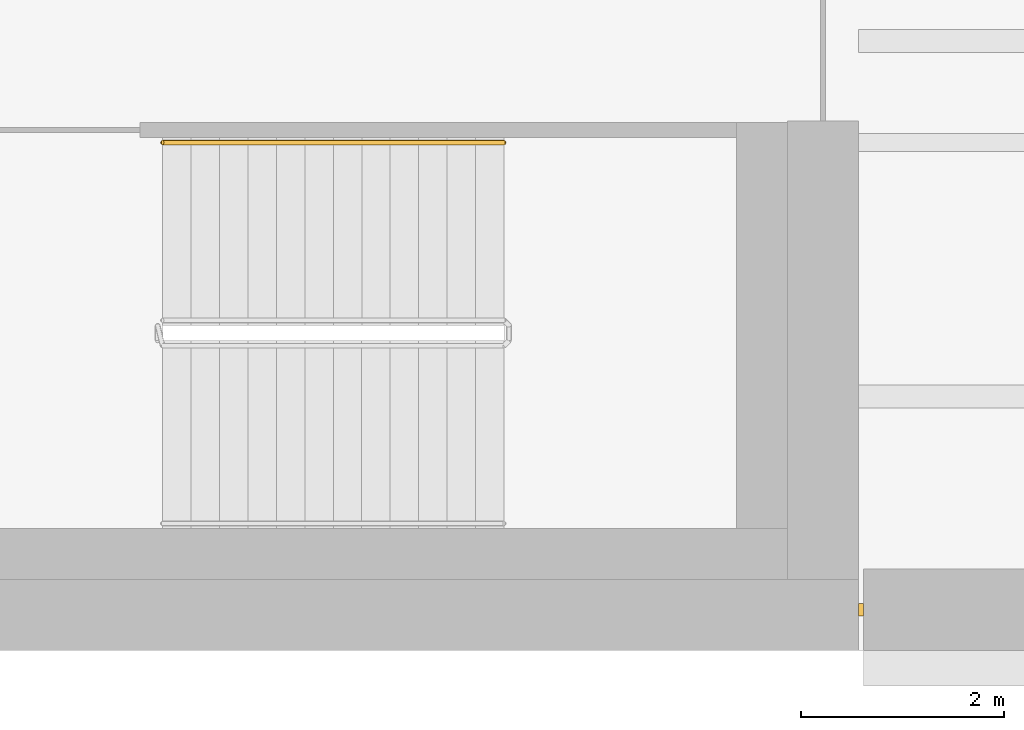
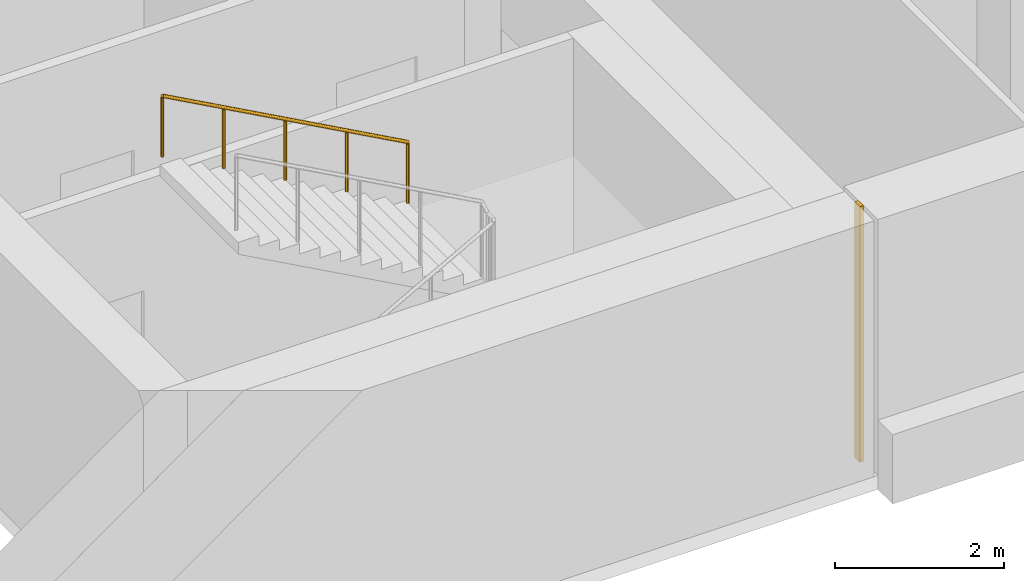
# One storey, part 14 of 15: 1 covering, 1 railing.
"""IFC4 building model written with IfcOpenShell, lengths in metres."""

from ifc_helpers import new_model, si_unit, direction, frame, origin, origin_2d, place, context, subcontext, project, spatial, rectangle, circle, extrude, material, layer, layer_set, type_object, element, save


model = new_model("IFC4")

# Units and contexts
model_context = context("Model", 3, precision=1e-05, world=origin(), true_north=direction((0.0, 1.0)))
body_context = subcontext(model_context, "Body", "Model", "MODEL_VIEW")
ifc_project = project(units=[si_unit("LENGTHUNIT", "METRE"), si_unit("AREAUNIT", "SQUARE_METRE"), si_unit("VOLUMEUNIT", "CUBIC_METRE"), si_unit("PLANEANGLEUNIT", "RADIAN"), si_unit("MASSUNIT", "GRAM", prefix="KILO")], contexts=[model_context])

# Site, building, storey
site_placement = place(None, origin())
site = spatial("IfcSite", under=ifc_project, at=site_placement, CompositionType="ELEMENT")
building_placement = place(site_placement, origin())
building = spatial("IfcBuilding", under=site, at=building_placement, Name="Zellij Exchange Tower", CompositionType="ELEMENT")
storey_placement = place(building_placement, frame((0.0, 0.0, 260.5)))
storey = spatial("IfcBuildingStorey", under=building, at=storey_placement, Name="L61", CompositionType="ELEMENT", Elevation=260.5)

# Railing
ifc_material_1 = material(Name="Stainless steel", Category="steel")
railing_type = type_object("IfcRailingType", Name="CORE-RH stair handrail", PredefinedType="HANDRAIL", material=ifc_material_1)
railing_placement = place(storey_placement, frame((23.510009765625, -9.0, 2.15380859375)))
element("IfcRailing", 1, at=railing_placement, inside=storey, type_object=railing_type, Name="ST4 stair handrail L61", PredefinedType="HANDRAIL", context=body_context, shape_type="SweptSolid", body=[
    extrude(circle(Radius=0.02392578125, at=origin_2d()), frame((0.0, 0.0, 0.8759765625), z_axis=(-0.876421534553, 0.0, 0.481544695509), x_axis=(0.0, -1.0, 0.0)), (0.0, 0.0, 1.0), 3.833984375),
    extrude(circle(Radius=0.02099609375, at=origin_2d()), origin(), (0.0, 0.0, 1.0), 0.851806640625),
    extrude(circle(Radius=0.02099609375, at=origin_2d()), frame((-0.840087890625, 0.0, 0.46142578125)), (0.0, 0.0, 1.0), 0.851806640625),
    extrude(circle(Radius=0.02099609375, at=origin_2d()), frame((-1.68017578125, 0.0, 0.923095703125)), (0.0, 0.0, 1.0), 0.851806640625),
    extrude(circle(Radius=0.02099609375, at=origin_2d()), frame((-2.52001953125, 0.0, 1.384765625)), (0.0, 0.0, 1.0), 0.851806640625),
    extrude(circle(Radius=0.02099609375, at=origin_2d()), frame((-3.360107421875, 0.0, 1.84619140625)), (0.0, 0.0, 1.0), 0.851806640625),
])

# Covering
ifc_material_2 = material(Name="Limestone cladding", Category="masonry")
ifc_layer = layer(ifc_material_2, 0.1201171875)
ifc_layer_set = layer_set([ifc_layer], Name="Limestone cladding")
covering_type = type_object("IfcCoveringType", Name="ENV-CV18 Glazing closer 120", PredefinedType="CLADDING", material=ifc_layer_set)
covering_placement = place(storey_placement, frame((27.02490234375, -13.60009765625, 0.0), z_axis=(0.0, 0.0, 1.0), x_axis=(-1.0, 0.0, 0.0)))
element("IfcCovering", 2, at=covering_placement, inside=storey, type_object=covering_type, Name="Glazing closer", PredefinedType="CLADDING", context=body_context, shape_type="SweptSolid", body=[
    extrude(rectangle(XDim=0.050048828125, YDim=0.1201171875, at=origin_2d()), origin(), (0.0, 0.0, 1.0), 3.699951171875),
])

save(model, "model.ifc")
